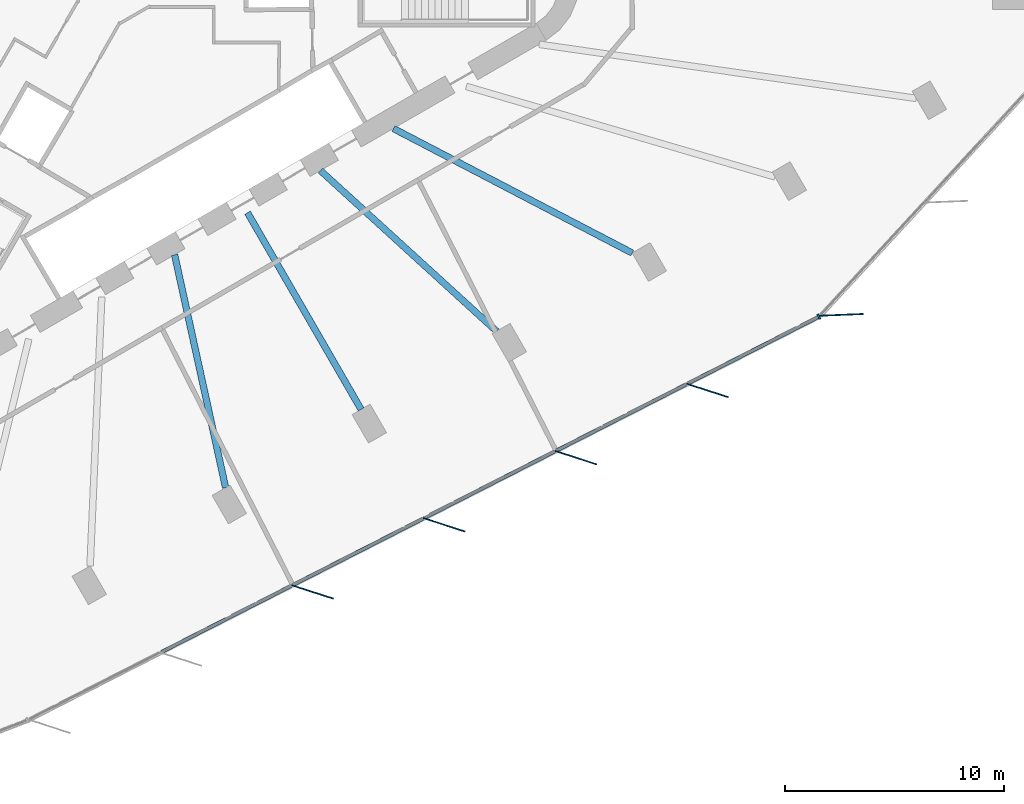
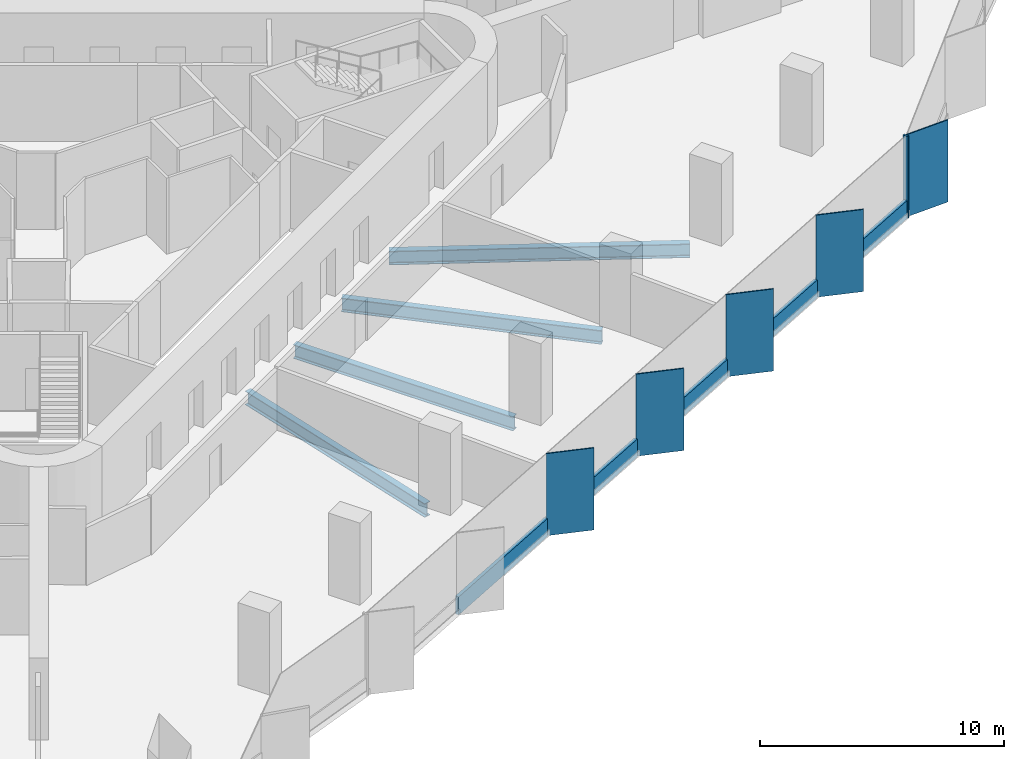
# One storey, part 3 of 14: 11 members, 4 beams, 2 elements without a shape of their own.
"""IFC4 building model written with IfcOpenShell, lengths in metres."""

from ifc_helpers import new_model, si_unit, direction, frame, origin, origin_2d, place, context, subcontext, project, spatial, rectangle, i_section, extrude, material, material_profile, profile_set, type_object, element, aggregate, save


model = new_model("IFC4")

# Units and contexts
model_context = context("Model", 3, precision=1e-05, world=origin(), true_north=direction((0.0, 1.0)))
body_context = subcontext(model_context, "Body", "Model", "MODEL_VIEW")
ifc_project = project(units=[si_unit("LENGTHUNIT", "METRE"), si_unit("AREAUNIT", "SQUARE_METRE"), si_unit("VOLUMEUNIT", "CUBIC_METRE"), si_unit("PLANEANGLEUNIT", "RADIAN"), si_unit("MASSUNIT", "GRAM", prefix="KILO")], contexts=[model_context])

# Site, building, storey
site_placement = place(None, origin())
site = spatial("IfcSite", under=ifc_project, at=site_placement, CompositionType="ELEMENT")
building_placement = place(site_placement, origin())
building = spatial("IfcBuilding", under=site, at=building_placement, Name="Tanit Gate Tower", CompositionType="ELEMENT")
storey_placement = place(building_placement, frame((0.0, 0.0, 74.199951171875)))
storey = spatial("IfcBuildingStorey", under=building, at=storey_placement, Name="L14", CompositionType="ELEMENT", Elevation=74.199951171875)

# Curtain wall, members
ifc_material_1 = material(Name="Aluminium bronze anodised and glass", Category="aluminium")
curtain_wall_type = type_object("IfcCurtainWallType", Name="Curtain wall typical low", PredefinedType="NOTDEFINED", material=ifc_material_1)
curtain_wall_1_placement = place(storey_placement, origin())
curtain_wall_1 = element("IfcCurtainWall", 1, at=curtain_wall_1_placement, inside=storey, type_object=curtain_wall_type, Name="Curtain wall L14 SE2", PredefinedType="NOTDEFINED")
ifc_material_2 = material(Name="Aluminium bronze anodised", Category="aluminium")
ifc_material_profile_1 = material_profile(ifc_material_2, rectangle(XDim=2.0, YDim=0.055908203125, at=origin_2d()), Name="56x2000 bronze fin mullion")
ifc_profile_set_1 = profile_set([ifc_material_profile_1], Name="Aluminium bronze anodised")
member_type_1 = type_object("IfcMemberType", Name="FIN MULLION 56x2000 bronze", PredefinedType="MULLION", material=ifc_profile_set_1)
member_1_placement = place(storey_placement, frame((9.023681640625, -27.818603515625, -0.300048828125), z_axis=(0.0, 0.0, 1.0), x_axis=(-0.951202192353, 0.308568289465, 0.0)))
member_1 = element("IfcMember", 2, at=member_1_placement, type_object=member_type_1, Name="Fin mullion L14 SE2.3", PredefinedType="MULLION", context=body_context, shape_type="SweptSolid", body=[
    extrude(rectangle(XDim=2.0, YDim=0.055908203125, at=origin_2d()), origin(), (0.0, 0.0, 1.0), 4.10009765625),
])
member_2_placement = place(storey_placement, frame((15.04248046875, -24.748291015625, -0.300048828125), z_axis=(0.0, 0.0, 1.0), x_axis=(-0.951202192353, 0.308568289465, 0.0)))
member_2 = element("IfcMember", 3, at=member_2_placement, type_object=member_type_1, Name="Fin mullion L14 SE2.4", PredefinedType="MULLION", context=body_context, shape_type="SweptSolid", body=[
    extrude(rectangle(XDim=2.0, YDim=0.055908203125, at=origin_2d()), origin(), (0.0, 0.0, 1.0), 4.10009765625),
])
member_3_placement = place(storey_placement, frame((21.061279296875, -21.677978515625, -0.300048828125), z_axis=(0.0, 0.0, 1.0), x_axis=(-0.951202192353, 0.308568289465, 0.0)))
member_3 = element("IfcMember", 4, at=member_3_placement, type_object=member_type_1, Name="Fin mullion L14 SE2.5", PredefinedType="MULLION", context=body_context, shape_type="SweptSolid", body=[
    extrude(rectangle(XDim=2.0, YDim=0.055908203125, at=origin_2d()), origin(), (0.0, 0.0, 1.0), 4.10009765625),
])
member_4_placement = place(storey_placement, frame((27.080078125, -18.607666015625, -0.300048828125), z_axis=(0.0, 0.0, 1.0), x_axis=(-0.951202192353, 0.308568289465, 0.0)))
member_4 = element("IfcMember", 5, at=member_4_placement, type_object=member_type_1, Name="Fin mullion L14 SE2.6", PredefinedType="MULLION", context=body_context, shape_type="SweptSolid", body=[
    extrude(rectangle(XDim=2.0, YDim=0.055908203125, at=origin_2d()), origin(), (0.0, 0.0, 1.0), 4.10009765625),
])

# Curtain wall, member
curtain_wall_2_placement = place(storey_placement, origin())
curtain_wall_2 = element("IfcCurtainWall", 6, at=curtain_wall_2_placement, inside=storey, type_object=curtain_wall_type, Name="Curtain wall L14 SE3", PredefinedType="NOTDEFINED")
member_5_placement = place(storey_placement, frame((33.20849609375, -15.14892578125, -0.300048828125), z_axis=(0.0, 0.0, 1.0), x_axis=(-0.999188560879, -0.040276789942, 0.0)))
member_5 = element("IfcMember", 7, at=member_5_placement, type_object=member_type_1, Name="Fin mullion L14 SE3.1", PredefinedType="MULLION", context=body_context, shape_type="SweptSolid", body=[
    extrude(rectangle(XDim=2.0, YDim=0.055908203125, at=origin_2d()), origin(), (0.0, 0.0, 1.0), 4.10009765625),
])
aggregate(curtain_wall_2, [member_5])

# Member
ifc_material_3 = material(Name="Aluminium bronze anodised", Category="aluminium")
ifc_material_profile_2 = material_profile(ifc_material_3, rectangle(XDim=0.239990234375, YDim=0.080078125, at=origin_2d()), Name="80x240 bronze mullion")
ifc_profile_set_2 = profile_set([ifc_material_profile_2], Name="Aluminium bronze anodised")
member_type_2 = type_object("IfcMemberType", Name="Mullion 80x240 typical low", PredefinedType="MULLION", material=ifc_profile_set_2)
member_6_placement = place(storey_placement, frame((32.169189453125, -15.23583984375, -0.300048828125), z_axis=(0.0, 0.0, 1.0), x_axis=(-0.454410790552, 0.890792250432, 0.0)))
member_6 = element("IfcMember", 8, at=member_6_placement, type_object=member_type_2, Name="Mullion L14 SE2.7", PredefinedType="MULLION", context=body_context, shape_type="SweptSolid", body=[
    extrude(rectangle(XDim=0.239990234375, YDim=0.080078125, at=origin_2d()), origin(), (0.0, 0.0, 1.0), 4.10009765625),
])

# Beams
ifc_material_4 = material(Name="Steel S355", Category="steel")
ifc_material_profile_3 = material_profile(ifc_material_4, i_section(OverallWidth=0.300048828125, OverallDepth=0.68994140625, WebThickness=0.014404296875, FlangeThickness=0.027099609375, FilletRadius=0.027099609375, at=origin_2d()), Name="HEA 700")
ifc_profile_set_3 = profile_set([ifc_material_profile_3], Name="Steel S355")
beam_type = type_object("IfcBeamType", Name="RADIAL GIRDER HEA 700 S355", PredefinedType="BEAM", material=ifc_profile_set_3)
beam_1_placement = place(storey_placement, frame((5.04833984375, -23.049560546875, -0.64501953125), z_axis=(-0.213952125378, 0.976844147265, 0.0), x_axis=(-0.976844147265, -0.213952125378, 0.0)))
element("IfcBeam", 9, at=beam_1_placement, inside=storey, type_object=beam_type, Name="RADIAL GIRDER", PredefinedType="BEAM", context=body_context, shape_type="SweptSolid", body=[
    extrude(i_section(OverallWidth=0.300048828125, OverallDepth=0.68994140625, WebThickness=0.014404296875, FlangeThickness=0.027099609375, FilletRadius=0.027099609375, at=origin_2d()), origin(), (0.0, 0.0, 1.0), 10.896240234375),
])
beam_2_placement = place(storey_placement, frame((11.242919921875, -19.47314453125, -0.64501953125), z_axis=(-0.50000806818, 0.866020745569, 0.0), x_axis=(-0.866020745569, -0.50000806818, 0.0)))
element("IfcBeam", 10, at=beam_2_placement, inside=storey, type_object=beam_type, Name="RADIAL GIRDER", PredefinedType="BEAM", context=body_context, shape_type="SweptSolid", body=[
    extrude(i_section(OverallWidth=0.300048828125, OverallDepth=0.68994140625, WebThickness=0.014404296875, FlangeThickness=0.027099609375, FilletRadius=0.027099609375, at=origin_2d()), origin(), (0.0, 0.0, 1.0), 10.383544921875),
])
beam_3_placement = place(storey_placement, frame((17.4375, -15.896728515625, -0.64501953125), z_axis=(-0.73900866501, 0.673695920308, 0.0), x_axis=(-0.673695920308, -0.73900866501, 0.0)))
element("IfcBeam", 11, at=beam_3_placement, inside=storey, type_object=beam_type, Name="RADIAL GIRDER", PredefinedType="BEAM", context=body_context, shape_type="SweptSolid", body=[
    extrude(i_section(OverallWidth=0.300048828125, OverallDepth=0.68994140625, WebThickness=0.014404296875, FlangeThickness=0.027099609375, FilletRadius=0.027099609375, at=origin_2d()), origin(), (0.0, 0.0, 1.0), 10.896240234375),
])
beam_4_placement = place(storey_placement, frame((23.635498046875, -12.322021484375, -0.64501953125), z_axis=(-0.886731546417, 0.462284722426, 0.0), x_axis=(-0.462284722426, -0.886731546417, 0.0)))
element("IfcBeam", 12, at=beam_4_placement, inside=storey, type_object=beam_type, Name="RADIAL GIRDER", PredefinedType="BEAM", context=body_context, shape_type="SweptSolid", body=[
    extrude(i_section(OverallWidth=0.300048828125, OverallDepth=0.68994140625, WebThickness=0.014404296875, FlangeThickness=0.027099609375, FilletRadius=0.027099609375, at=origin_2d()), origin(), (0.0, 0.0, 1.0), 12.31103515625),
])

# Member
ifc_material_5 = material(Name="Aluminium bronze anodised", Category="aluminium")
ifc_material_profile_4 = material_profile(ifc_material_5, rectangle(XDim=0.159912109375, YDim=0.89990234375, at=origin_2d()), Name="160x900 bronze transom")
ifc_profile_set_4 = profile_set([ifc_material_profile_4], Name="Aluminium bronze anodised")
member_type_3 = type_object("IfcMemberType", Name="Transom 160x900 typical low", PredefinedType="USERDEFINED", material=ifc_profile_set_4)
member_7_placement = place(storey_placement, frame((2.11083984375, -30.5693359375, 0.150146484375), z_axis=(0.890792681995, 0.454409944549, 0.0), x_axis=(-0.454409944549, 0.890792681995, 0.0)))
member_7 = element("IfcMember", 13, at=member_7_placement, type_object=member_type_3, Name="Transom L14 SE2.2", ObjectType="TRANSOM", PredefinedType="USERDEFINED", context=body_context, shape_type="SweptSolid", body=[
    extrude(rectangle(XDim=0.159912109375, YDim=0.89990234375, at=origin_2d()), origin(), (0.0, 0.0, 1.0), 6.6767578125),
])

member_8_placement = place(storey_placement, frame((8.129638671875, -27.4990234375, 0.150146484375), z_axis=(0.890792681995, 0.454409944549, 0.0), x_axis=(-0.454409944549, 0.890792681995, 0.0)))
member_8 = element("IfcMember", 14, at=member_8_placement, type_object=member_type_3, Name="Transom L14 SE2.3", ObjectType="TRANSOM", PredefinedType="USERDEFINED", context=body_context, shape_type="SweptSolid", body=[
    extrude(rectangle(XDim=0.159912109375, YDim=0.89990234375, at=origin_2d()), origin(), (0.0, 0.0, 1.0), 6.6767578125),
])

member_9_placement = place(storey_placement, frame((14.1484375, -24.4287109375, 0.150146484375), z_axis=(0.890792681995, 0.454409944549, 0.0), x_axis=(-0.454409944549, 0.890792681995, 0.0)))
member_9 = element("IfcMember", 15, at=member_9_placement, type_object=member_type_3, Name="Transom L14 SE2.4", ObjectType="TRANSOM", PredefinedType="USERDEFINED", context=body_context, shape_type="SweptSolid", body=[
    extrude(rectangle(XDim=0.159912109375, YDim=0.89990234375, at=origin_2d()), origin(), (0.0, 0.0, 1.0), 6.6767578125),
])

member_10_placement = place(storey_placement, frame((20.167236328125, -21.3583984375, 0.150146484375), z_axis=(0.890792681995, 0.454409944549, 0.0), x_axis=(-0.454409944549, 0.890792681995, 0.0)))
member_10 = element("IfcMember", 16, at=member_10_placement, type_object=member_type_3, Name="Transom L14 SE2.5", ObjectType="TRANSOM", PredefinedType="USERDEFINED", context=body_context, shape_type="SweptSolid", body=[
    extrude(rectangle(XDim=0.159912109375, YDim=0.89990234375, at=origin_2d()), origin(), (0.0, 0.0, 1.0), 6.6767578125),
])

member_11_placement = place(storey_placement, frame((26.18603515625, -18.2880859375, 0.150146484375), z_axis=(0.890792681995, 0.454409944549, 0.0), x_axis=(-0.454409944549, 0.890792681995, 0.0)))
member_11 = element("IfcMember", 17, at=member_11_placement, type_object=member_type_3, Name="Transom L14 SE2.6", ObjectType="TRANSOM", PredefinedType="USERDEFINED", context=body_context, shape_type="SweptSolid", body=[
    extrude(rectangle(XDim=0.159912109375, YDim=0.89990234375, at=origin_2d()), origin(), (0.0, 0.0, 1.0), 6.6767578125),
])

aggregate(curtain_wall_1, [member_1, member_2, member_3, member_4, member_6, member_7, member_8, member_9, member_10, member_11])

save(model, "model.ifc")
